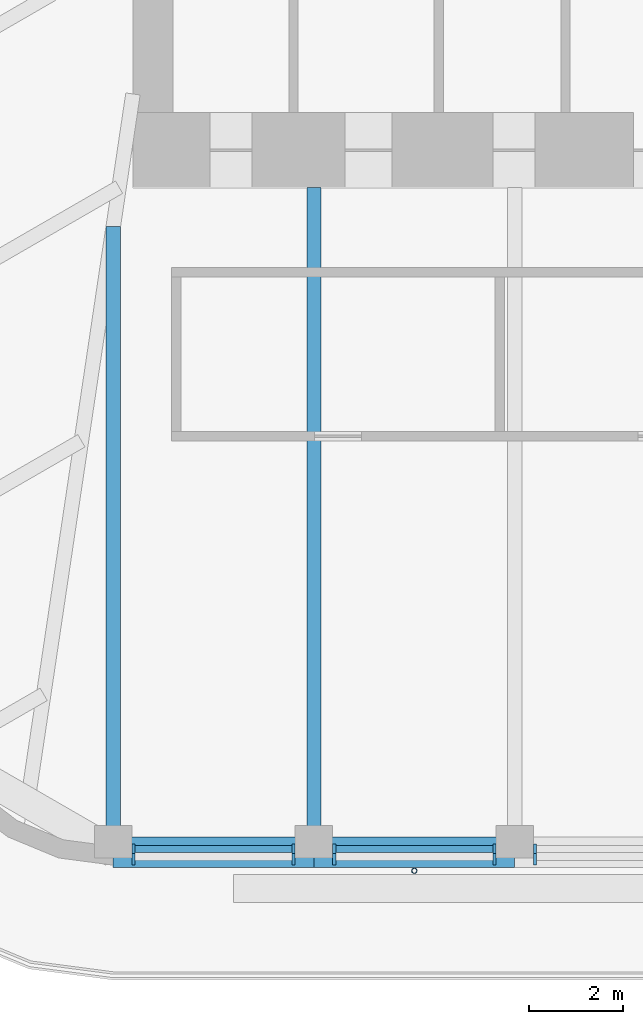
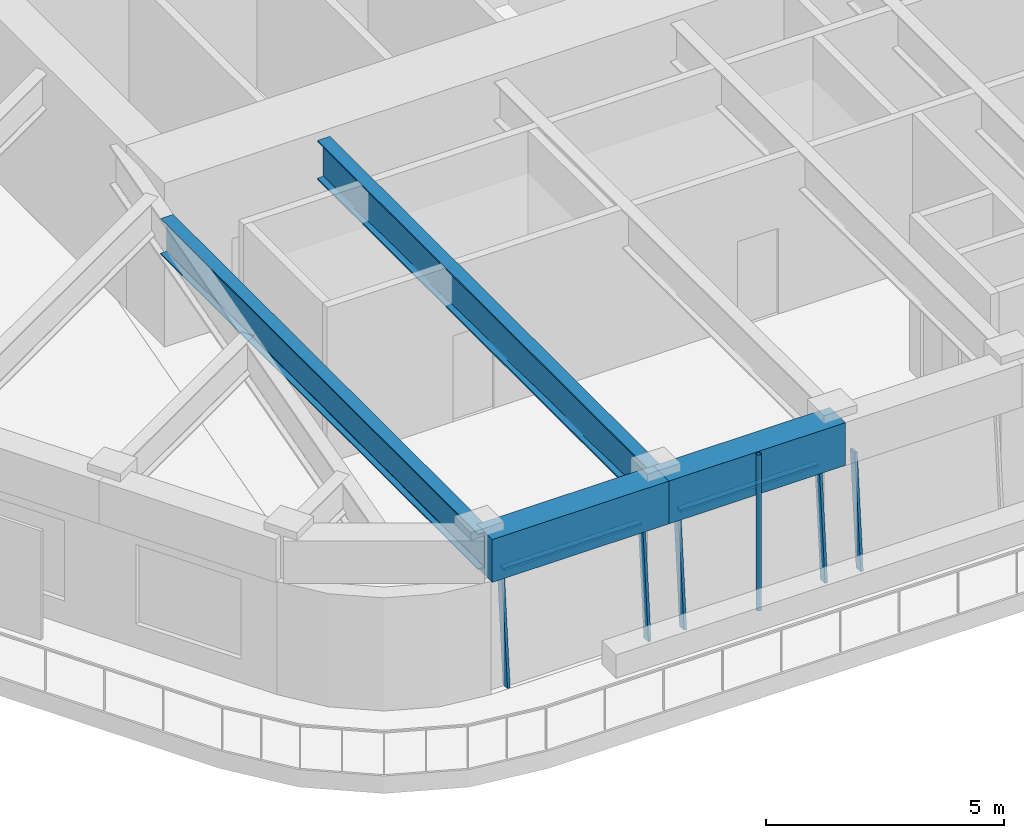
# One storey, part 2 of 20: 8 members, 4 beams, 3 elements without a shape of their own.
"""IFC4 building model written with IfcOpenShell, lengths in metres."""

from ifc_helpers import new_model, si_unit, direction, frame, origin, origin_2d, place, context, subcontext, project, spatial, rectangle, hollow_circle, i_section, extrude, material, material_profile, profile_set, type_object, element, aggregate, save


model = new_model("IFC4")

# Units and contexts
model_context = context("Model", 3, precision=1e-05, world=origin(), true_north=direction((0.0, 1.0)))
body_context = subcontext(model_context, "Body", "Model", "MODEL_VIEW")
ifc_project = project(units=[si_unit("LENGTHUNIT", "METRE"), si_unit("AREAUNIT", "SQUARE_METRE"), si_unit("VOLUMEUNIT", "CUBIC_METRE"), si_unit("PLANEANGLEUNIT", "RADIAN"), si_unit("MASSUNIT", "GRAM", prefix="KILO")], contexts=[model_context])

# Site, building, storey
site_placement = place(None, origin())
site = spatial("IfcSite", under=ifc_project, at=site_placement, CompositionType="ELEMENT")
building_placement = place(site_placement, origin())
building = spatial("IfcBuilding", under=site, at=building_placement, Name="Tarfa Lantern Tower", CompositionType="ELEMENT")
storey_placement = place(building_placement, frame((0.0, 0.0, 382.89990234375)))
storey = spatial("IfcBuildingStorey", under=building, at=storey_placement, Name="L87", CompositionType="ELEMENT", Elevation=382.89990234375)

# Curtain wall, members
ifc_material_1 = material(Name="Aluminium framed curtain wall", Category="aluminium")
curtain_wall_type = type_object("IfcCurtainWallType", Name="CW4 CANTED GLAZING EXECUTIVE ZONE 2900", PredefinedType="USERDEFINED", material=ifc_material_1)
curtain_wall_1_placement = place(storey_placement, origin())
curtain_wall_1 = element("IfcCurtainWall", 1, at=curtain_wall_1_placement, inside=storey, type_object=curtain_wall_type, Name="CW4 S L87", ObjectType="CURTAIN WALL", PredefinedType="USERDEFINED")
ifc_material_2 = material(Name="Aluminium mullion", Category="aluminium")
ifc_material_profile_1 = material_profile(ifc_material_2, rectangle(XDim=0.06494140625, YDim=0.199951171875, at=origin_2d()), Name="AL MULLION 65x200")
ifc_profile_set_1 = profile_set([ifc_material_profile_1], Name="Aluminium mullion")
member_type_1 = type_object("IfcMemberType", Name="CWM1 MULLION 65x200", PredefinedType="MULLION", material=ifc_profile_set_1)
member_1_placement = place(storey_placement, frame((-12.41357421875, -26.64990234375, 0.0), z_axis=(0.0, 0.085884035992, 0.996305140186), x_axis=(-1.0, 0.0, 0.0)))
member_1 = element("IfcMember", 2, at=member_1_placement, type_object=member_type_1, Name="CW4 mullion 1", PredefinedType="MULLION", context=body_context, shape_type="SweptSolid", body=[
    extrude(rectangle(XDim=0.06494140625, YDim=0.199951171875, at=origin_2d()), origin(), (0.0, 0.0, 1.0), 2.910888671875),
])
member_2_placement = place(storey_placement, frame((-8.99658203125, -26.64990234375, 0.0), z_axis=(0.0, 0.085884035992, 0.996305140186), x_axis=(-1.0, 0.0, 0.0)))
member_2 = element("IfcMember", 3, at=member_2_placement, type_object=member_type_1, Name="CW4 mullion 2", PredefinedType="MULLION", context=body_context, shape_type="SweptSolid", body=[
    extrude(rectangle(XDim=0.06494140625, YDim=0.199951171875, at=origin_2d()), origin(), (0.0, 0.0, 1.0), 2.910888671875),
])

curtain_wall_2_placement = place(storey_placement, origin())
curtain_wall_2 = element("IfcCurtainWall", 4, at=curtain_wall_2_placement, inside=storey, type_object=curtain_wall_type, Name="CW4 S L87", ObjectType="CURTAIN WALL", PredefinedType="USERDEFINED")
member_3_placement = place(storey_placement, frame((-8.131591796875, -26.64990234375, 0.0), z_axis=(0.0, 0.085884035992, 0.996305140186), x_axis=(-1.0, 0.0, 0.0)))
member_3 = element("IfcMember", 5, at=member_3_placement, type_object=member_type_1, Name="CW4 mullion 1", PredefinedType="MULLION", context=body_context, shape_type="SweptSolid", body=[
    extrude(rectangle(XDim=0.06494140625, YDim=0.199951171875, at=origin_2d()), origin(), (0.0, 0.0, 1.0), 2.910888671875),
])
member_4_placement = place(storey_placement, frame((-4.714599609375, -26.64990234375, 0.0), z_axis=(0.0, 0.085884035992, 0.996305140186), x_axis=(-1.0, 0.0, 0.0)))
member_4 = element("IfcMember", 6, at=member_4_placement, type_object=member_type_1, Name="CW4 mullion 2", PredefinedType="MULLION", context=body_context, shape_type="SweptSolid", body=[
    extrude(rectangle(XDim=0.06494140625, YDim=0.199951171875, at=origin_2d()), origin(), (0.0, 0.0, 1.0), 2.910888671875),
])

# Curtain wall, member
curtain_wall_3_placement = place(storey_placement, origin())
curtain_wall_3 = element("IfcCurtainWall", 7, at=curtain_wall_3_placement, inside=storey, type_object=curtain_wall_type, Name="CW4 S L87", ObjectType="CURTAIN WALL", PredefinedType="USERDEFINED")
member_5_placement = place(storey_placement, frame((-3.849609375, -26.64990234375, 0.0), z_axis=(0.0, 0.085884035992, 0.996305140186), x_axis=(-1.0, 0.0, 0.0)))
member_5 = element("IfcMember", 8, at=member_5_placement, type_object=member_type_1, Name="CW4 mullion 1", PredefinedType="MULLION", context=body_context, shape_type="SweptSolid", body=[
    extrude(rectangle(XDim=0.06494140625, YDim=0.199951171875, at=origin_2d()), origin(), (0.0, 0.0, 1.0), 2.910888671875),
])
aggregate(curtain_wall_3, [member_5])

# Member
ifc_material_3 = material(Name="Aluminium transom", Category="aluminium")
ifc_material_profile_2 = material_profile(ifc_material_3, rectangle(XDim=0.14990234375, YDim=0.06494140625, at=origin_2d()), Name="AL TRANSOM 150x65")
ifc_profile_set_2 = profile_set([ifc_material_profile_2], Name="Aluminium transom")
member_type_2 = type_object("IfcMemberType", Name="CWT1 TRANSOM 150x65", PredefinedType="USERDEFINED", material=ifc_profile_set_2)
member_6_placement = place(storey_placement, frame((-12.381103515625, -26.40283203125, 2.86767578125), z_axis=(1.0, 0.0, 0.0), x_axis=(0.0, 1.0, 0.0)))
member_6 = element("IfcMember", 9, at=member_6_placement, type_object=member_type_2, Name="CW4 transom 1.2", ObjectType="TRANSOM", PredefinedType="USERDEFINED", context=body_context, shape_type="SweptSolid", body=[
    extrude(rectangle(XDim=0.14990234375, YDim=0.06494140625, at=origin_2d()), origin(), (0.0, 0.0, 1.0), 3.35205078125),
])

aggregate(curtain_wall_1, [member_1, member_2, member_6])

member_7_placement = place(storey_placement, frame((-8.09912109375, -26.40283203125, 2.86767578125), z_axis=(1.0, 0.0, 0.0), x_axis=(0.0, 1.0, 0.0)))
member_7 = element("IfcMember", 10, at=member_7_placement, type_object=member_type_2, Name="CW4 transom 1.2", ObjectType="TRANSOM", PredefinedType="USERDEFINED", context=body_context, shape_type="SweptSolid", body=[
    extrude(rectangle(XDim=0.14990234375, YDim=0.06494140625, at=origin_2d()), origin(), (0.0, 0.0, 1.0), 3.35205078125),
])

aggregate(curtain_wall_2, [member_3, member_4, member_7])

# Beams
ifc_material_4 = material(Name="Concrete C80/95", Category="concrete")
ifc_material_profile_3 = material_profile(ifc_material_4, rectangle(XDim=0.64990234375, YDim=1.10009765625, at=origin_2d()), Name="RC 650x1100")
ifc_profile_set_3 = profile_set([ifc_material_profile_3], Name="Concrete C80/95")
beam_type_1 = type_object("IfcBeamType", Name="EB4 RC 650x1100", PredefinedType="SPANDREL", material=ifc_profile_set_3)
for number, where, z_axis, x_axis, name in (
    (11, (-12.845947265625, -26.469970703125, 3.4501953125), (1.0, 0.0, 0.0), (0.0, 1.0, 0.0), "Edge beam S0"),
    (12, (-8.56396484375, -26.469970703125, 3.4501953125), (1.0, 0.0, 0.0), (0.0, 1.0, 0.0), "Edge beam S1"),
):
    element("IfcBeam", number, at=place(storey_placement, frame(where, z_axis=z_axis, x_axis=x_axis)), inside=storey, type_object=beam_type_1, Name=name, PredefinedType="SPANDREL", context=body_context, shape_type="SweptSolid", body=[
        extrude(rectangle(XDim=0.64990234375, YDim=1.10009765625, at=origin_2d()), origin(), (0.0, 0.0, 1.0), 4.281982421875),
    ])

# Member
ifc_material_5 = material(Name="Steel S355", Category="steel")
ifc_material_profile_4 = material_profile(ifc_material_5, hollow_circle(Radius=0.05712890625, WallThickness=0.00634765625, at=origin_2d()), Name="CHS114.3x6.3")
ifc_profile_set_4 = profile_set([ifc_material_profile_4], Name="Steel S355")
member_type_3 = type_object("IfcMemberType", Name="TR1 GREEN WALL TRELLIS CHS114.3x6.3", PredefinedType="USERDEFINED", material=ifc_profile_set_4)
member_8_placement = place(storey_placement, frame((-6.423095703125, -26.8701171875, 0.0), z_axis=(0.0, 0.0, 1.0), x_axis=(1.0, 0.0, 0.0)))
element("IfcMember", 13, at=member_8_placement, inside=storey, type_object=member_type_3, Name="Trellis post S 1", ObjectType="TRELLIS", PredefinedType="USERDEFINED", context=body_context, shape_type="SweptSolid", body=[
    extrude(hollow_circle(Radius=0.05712890625, WallThickness=0.00634765625, at=origin_2d()), origin(), (0.0, 0.0, 1.0), 4.0),
])

# Beams
ifc_material_6 = material(Name="Steel S460M", Category="steel")
ifc_material_profile_5 = material_profile(ifc_material_6, i_section(OverallWidth=0.302001953125, OverallDepth=1.008056640625, WebThickness=0.02099609375, FlangeThickness=0.0400390625, FilletRadius=0.030029296875, at=origin_2d()), Name="UB1016x305x349")
ifc_profile_set_5 = profile_set([ifc_material_profile_5], Name="Steel S460M")
beam_type_2 = type_object("IfcBeamType", Name="UB1016x305x349", PredefinedType="BEAM", material=ifc_profile_set_5)
beam_1_placement = place(storey_placement, frame((-8.56396484375, -26.469970703125, 3.49609375), z_axis=(0.0, 1.0, 0.0), x_axis=(-1.0, 0.0, 0.0)))
element("IfcBeam", 14, at=beam_1_placement, inside=storey, type_object=beam_type_2, Name="Floor beam S1", PredefinedType="BEAM", context=body_context, shape_type="SweptSolid", body=[
    extrude(i_section(OverallWidth=0.302001953125, OverallDepth=1.008056640625, WebThickness=0.02099609375, FlangeThickness=0.0400390625, FilletRadius=0.030029296875, at=origin_2d()), origin(), (0.0, 0.0, 1.0), 14.169921875),
])
ifc_material_profile_6 = material_profile(ifc_material_6, i_section(OverallWidth=0.305419921875, OverallDepth=0.91845703125, WebThickness=0.017333984375, FlangeThickness=0.02783203125, FilletRadius=0.01904296875, at=origin_2d()), Name="UB914x305x253")
ifc_profile_set_6 = profile_set([ifc_material_profile_6], Name="Steel S460M")
beam_type_3 = type_object("IfcBeamType", Name="UB914x305x253", PredefinedType="BEAM", material=ifc_profile_set_6)
beam_2_placement = place(storey_placement, frame((-12.845947265625, -26.469970703125, 3.541015625), z_axis=(0.0, 1.0, 0.0), x_axis=(-1.0, 0.0, 0.0)))
element("IfcBeam", 15, at=beam_2_placement, inside=storey, type_object=beam_type_3, Name="Floor beam S0", PredefinedType="BEAM", context=body_context, shape_type="SweptSolid", body=[
    extrude(i_section(OverallWidth=0.305419921875, OverallDepth=0.91845703125, WebThickness=0.017333984375, FlangeThickness=0.02783203125, FilletRadius=0.01904296875, at=origin_2d()), origin(), (0.0, 0.0, 1.0), 13.33935546875),
])

save(model, "model.ifc")
